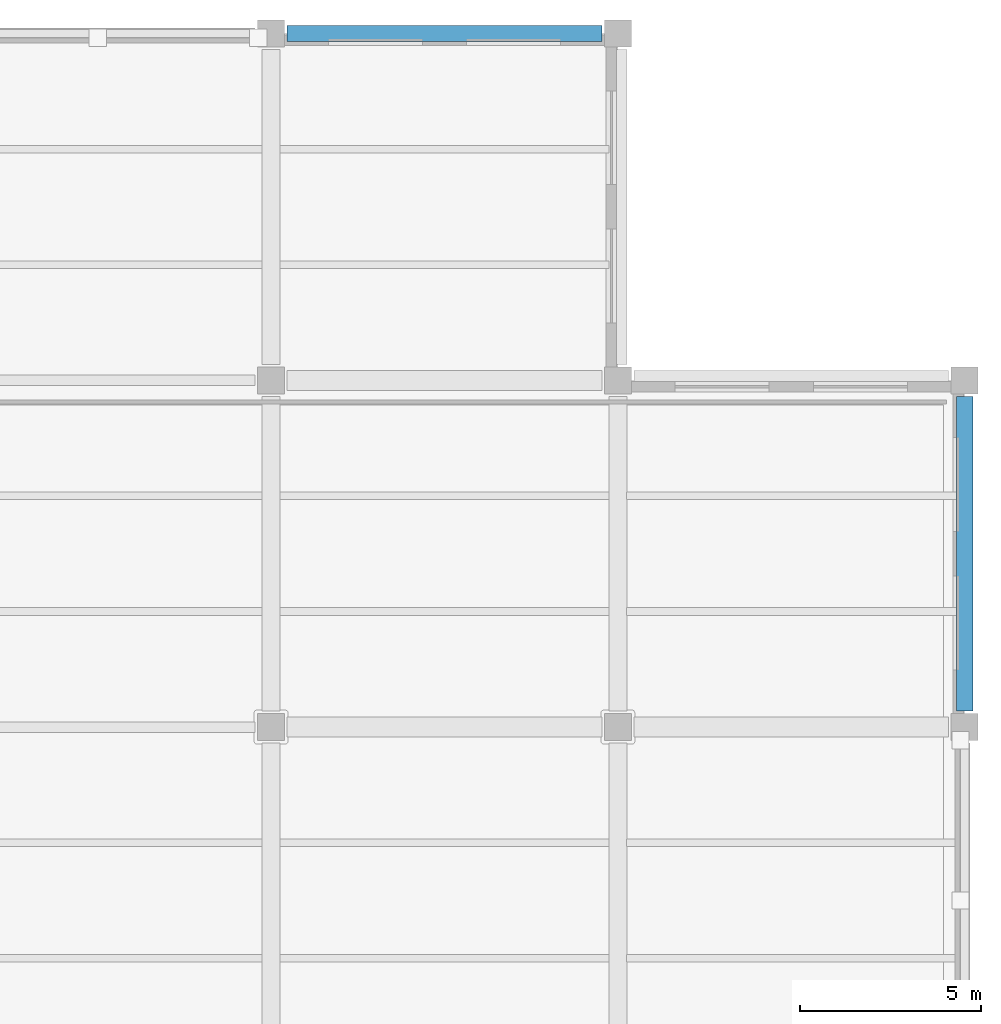
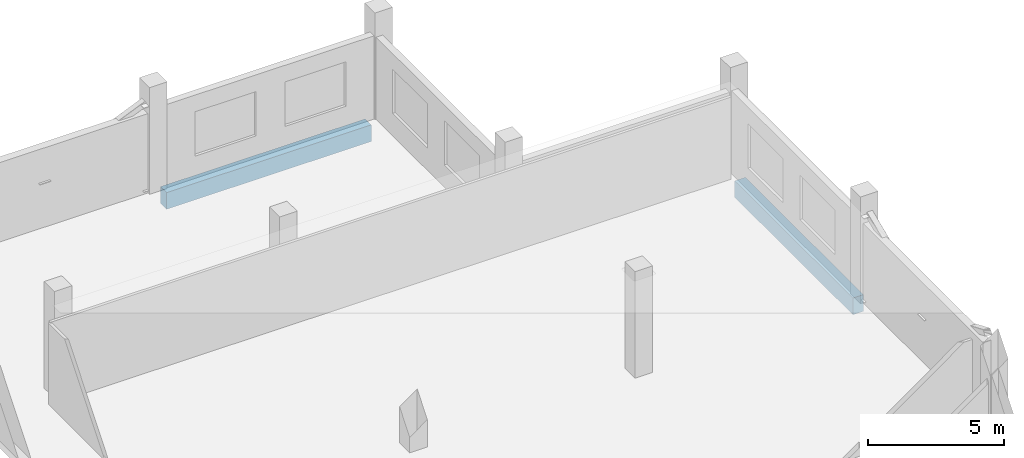
# One storey, part 39 of 100: 2 beams.
"""IFC4 building model written with IfcOpenShell, lengths in metres."""

from ifc_helpers import new_model, si_unit, direction, frame, origin, origin_2d, place, context, subcontext, project, spatial, rectangle, extrude, material, material_profile, profile_set, type_object, element, save


model = new_model("IFC4")

# Units and contexts
model_context = context("Model", 3, precision=1e-05, world=origin(), true_north=direction((0.0, 1.0)))
body_context = subcontext(model_context, "Body", "Model", "MODEL_VIEW")
ifc_project = project(units=[si_unit("LENGTHUNIT", "METRE"), si_unit("AREAUNIT", "SQUARE_METRE"), si_unit("VOLUMEUNIT", "CUBIC_METRE"), si_unit("PLANEANGLEUNIT", "RADIAN"), si_unit("MASSUNIT", "GRAM", prefix="KILO")], contexts=[model_context])

# Site, building, storey
site_placement = place(None, origin())
site = spatial("IfcSite", under=ifc_project, at=site_placement, CompositionType="ELEMENT")
building_placement = place(site_placement, origin())
building = spatial("IfcBuilding", under=site, at=building_placement, Name="Caelomonte Colonnade Arena", CompositionType="ELEMENT")
storey_placement = place(building_placement, origin())
storey = spatial("IfcBuildingStorey", under=building, at=storey_placement, Name="L00", CompositionType="ELEMENT", Elevation=0.0)

# Beams
ifc_material = material(Name="Concrete C40/50", Category="concrete")
ifc_material_profile = material_profile(ifc_material, rectangle(XDim=0.449951171875, YDim=0.75, at=origin_2d()), Name="RC450X750")
ifc_profile_set = profile_set([ifc_material_profile], Name="Concrete C40/50")
beam_type = type_object("IfcBeamType", Name="STR-BM-SPAN24", PredefinedType="SPANDREL", material=ifc_profile_set)
for number, where, z_axis, x_axis, name in (
    (1, (173.241943359375, 144.0, -0.675048828125), (1.0, 0.0, 0.0), (0.0, 1.0, 0.0), "L00 girder BMX-L00-1728-1440"),
    (2, (192.0, 125.241943359375, -0.675048828125), (0.0, 1.0, 0.0), (-1.0, 0.0, 0.0), "L00 girder BMY-L00-1920-1248"),
):
    element("IfcBeam", number, at=place(storey_placement, frame(where, z_axis=z_axis, x_axis=x_axis)), inside=storey, type_object=beam_type, Name=name, PredefinedType="SPANDREL", context=body_context, shape_type="SweptSolid", body=[
        extrude(rectangle(XDim=0.449951171875, YDim=0.75, at=origin_2d()), origin(), (0.0, 0.0, 1.0), 8.716064453125),
    ])

save(model, "model.ifc")
